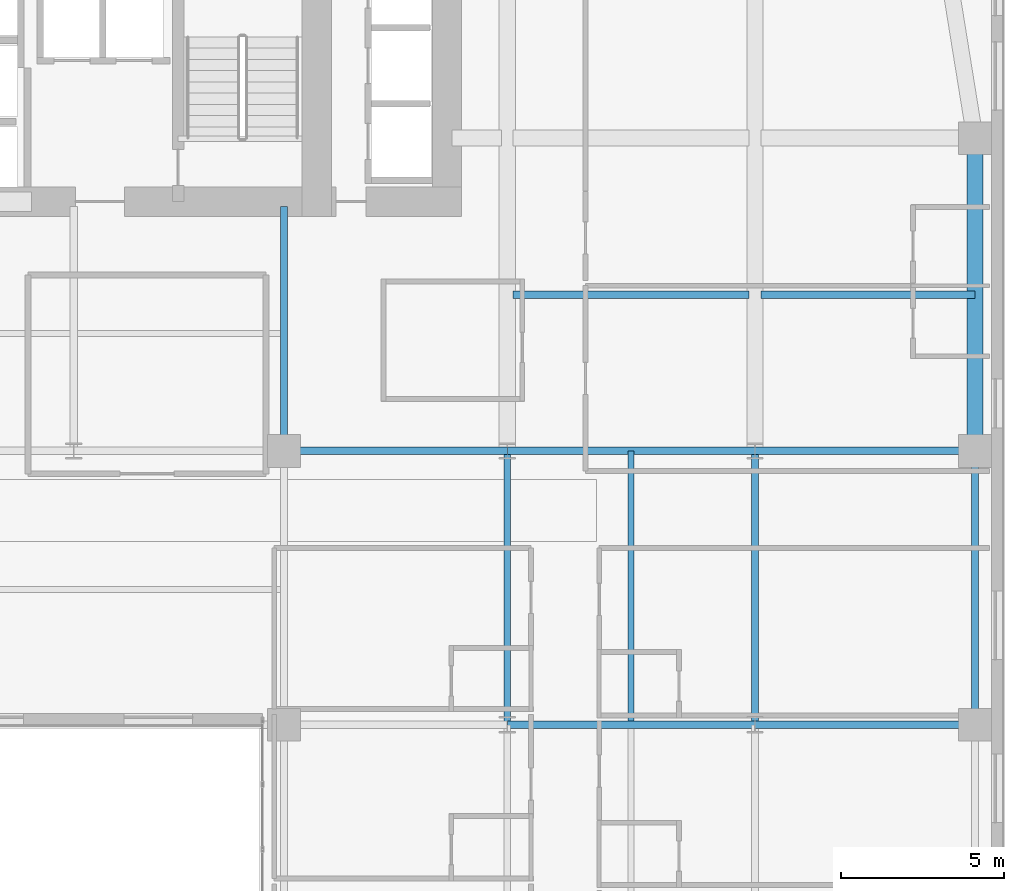
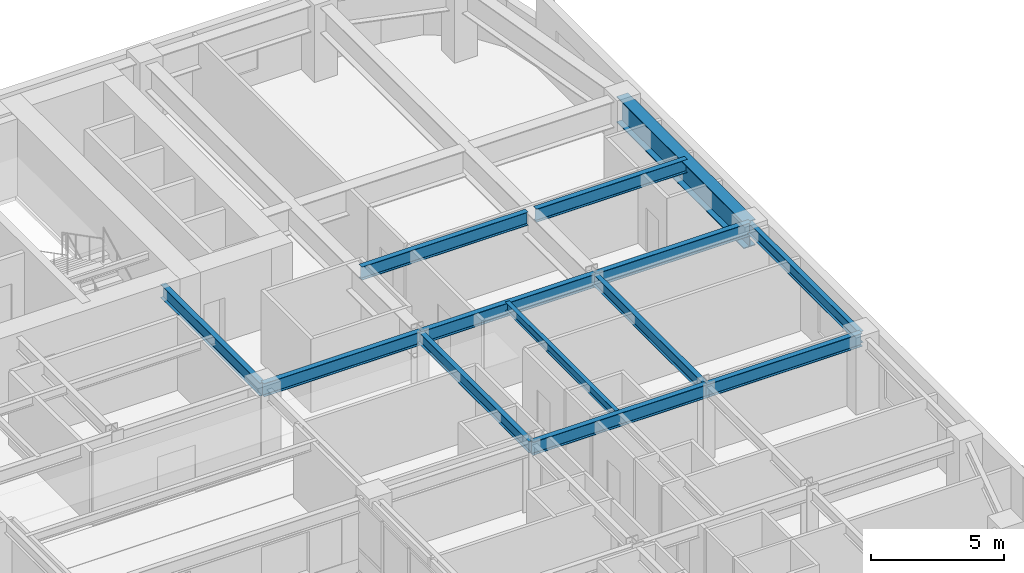
# One storey, part 19 of 37: 13 beams.
"""IFC4 building model written with IfcOpenShell, lengths in metres."""

from ifc_helpers import new_model, si_unit, direction, frame, origin, origin_2d, place, context, subcontext, project, spatial, i_section, extrude, source, transform, mapped, material, material_profile, profile_set, type_object, type_shapes, element, save


model = new_model("IFC4")

# Units and contexts
model_context = context("Model", 3, precision=1e-05, world=origin(), true_north=direction((0.0, 1.0)))
body_context = subcontext(model_context, "Body", "Model", "MODEL_VIEW")
ifc_project = project(units=[si_unit("LENGTHUNIT", "METRE"), si_unit("AREAUNIT", "SQUARE_METRE"), si_unit("VOLUMEUNIT", "CUBIC_METRE"), si_unit("PLANEANGLEUNIT", "RADIAN"), si_unit("MASSUNIT", "GRAM", prefix="KILO")], contexts=[model_context])

# Site, building, storey
site_placement = place(None, origin())
site = spatial("IfcSite", under=ifc_project, at=site_placement, CompositionType="ELEMENT")
building_placement = place(site_placement, origin())
building = spatial("IfcBuilding", under=site, at=building_placement, Name="Tolvann Quenvar Hotel", CompositionType="ELEMENT")
storey_placement = place(building_placement, frame((0.0, 0.0, 53.300048828125)))
storey = spatial("IfcBuildingStorey", under=building, at=storey_placement, Name="L12", CompositionType="ELEMENT", Elevation=53.300048828125)

# Beams
ifc_material = material(Name="Steel Grade 350", Category="steel")
ifc_material_profile_1 = material_profile(ifc_material, i_section(OverallWidth=0.5, OverallDepth=1.199951171875, WebThickness=0.01611328125, FlangeThickness=0.0400390625, at=origin_2d()), Name="1200WB455")
ifc_profile_set_1 = profile_set([ifc_material_profile_1], Name="Steel Grade 350")
beam_type_1 = type_object("IfcBeamType", Name="BM_TG_1200WB455", PredefinedType="USERDEFINED", material=ifc_profile_set_1)
shared_shape_1 = source(origin(), body_context, "Body", "SweptSolid", [
    extrude(i_section(OverallWidth=0.5, OverallDepth=1.199951171875, WebThickness=0.01611328125, FlangeThickness=0.0400390625, at=origin_2d()), origin(), (0.0, 0.0, 1.0), 9.60009765625),
])
type_shapes(beam_type_1, [shared_shape_1])
beam_1_placement = place(storey_placement, frame((56.14990234375, 24.39990234375, 2.77001953125), z_axis=(0.0, 1.0, 0.0), x_axis=(-1.0, 0.0, 0.0)))
element("IfcBeam", 1, at=beam_1_placement, inside=storey, type_object=beam_type_1, Name="BM-L12-FLK-E1", ObjectType="TRANSFER GIRDER", PredefinedType="USERDEFINED", context=body_context, shape_type="MappedRepresentation", body=[
    mapped(shared_shape_1, transform((0.0, 0.0, 0.0), x_axis=(1.0, 0.0, 0.0), y_axis=(0.0, 1.0, 0.0), z_axis=(0.0, 0.0, 1.0), scale=1.0)),
])
ifc_material_profile_2 = material_profile(ifc_material, i_section(OverallWidth=0.22900390625, OverallDepth=0.612060546875, WebThickness=0.011962890625, FlangeThickness=0.01953125, FilletRadius=0.013916015625, at=origin_2d()), Name="610UB125")
ifc_profile_set_2 = profile_set([ifc_material_profile_2], Name="Steel Grade 350")
beam_type_2 = type_object("IfcBeamType", Name="BM_GIRD_610UB125", PredefinedType="BEAM", material=ifc_profile_set_2)
shared_shape_2 = source(origin(), body_context, "Body", "SweptSolid", [
    extrude(i_section(OverallWidth=0.22900390625, OverallDepth=0.612060546875, WebThickness=0.011962890625, FlangeThickness=0.01953125, FilletRadius=0.013916015625, at=origin_2d()), origin(), (0.0, 0.0, 1.0), 6.75),
])
for number, where, z_axis, x_axis, name in (
    (2, (49.39990234375, 16.0, 3.06396484375), (1.0, 0.0, 0.0), (0.0, 1.0, 0.0), "BM-L12-EW-4-I4-J4"),
    (3, (49.39990234375, 24.39990234375, 3.06396484375), (1.0, 0.0, 0.0), (0.0, 1.0, 0.0), "BM-L12-EW-5-I5-J5"),
):
    element("IfcBeam", number, at=place(storey_placement, frame(where, z_axis=z_axis, x_axis=x_axis)), inside=storey, type_object=beam_type_2, Name=name, PredefinedType="BEAM", context=body_context, shape_type="MappedRepresentation", body=[
        mapped(shared_shape_2, transform((0.0, 0.0, 0.0), x_axis=(1.0, 0.0, 0.0), y_axis=(0.0, 1.0, 0.0), z_axis=(0.0, 0.0, 1.0), scale=1.0)),
    ])
shared_shape_3 = source(origin(), body_context, "Body", "SweptSolid", [
    extrude(i_section(OverallWidth=0.22900390625, OverallDepth=0.612060546875, WebThickness=0.011962890625, FlangeThickness=0.01953125, FilletRadius=0.013916015625, at=origin_2d()), origin(), (0.0, 0.0, 1.0), 7.599853515625),
])
for number, where, z_axis, x_axis, name in (
    (4, (41.800048828125, 16.0, 3.06396484375), (1.0, 0.0, 0.0), (0.0, 1.0, 0.0), "BM-L12-EW-4-H4-I4"),
    (5, (41.800048828125, 24.39990234375, 3.06396484375), (1.0, 0.0, 0.0), (0.0, 1.0, 0.0), "BM-L12-EW-5-H5-I5"),
):
    element("IfcBeam", number, at=place(storey_placement, frame(where, z_axis=z_axis, x_axis=x_axis)), inside=storey, type_object=beam_type_2, Name=name, PredefinedType="BEAM", context=body_context, shape_type="MappedRepresentation", body=[
        mapped(shared_shape_3, transform((0.0, 0.0, 0.0), x_axis=(1.0, 0.0, 0.0), y_axis=(0.0, 1.0, 0.0), z_axis=(0.0, 0.0, 1.0), scale=1.0)),
    ])
shared_shape_4 = source(origin(), body_context, "Body", "SweptSolid", [
    extrude(i_section(OverallWidth=0.22900390625, OverallDepth=0.612060546875, WebThickness=0.011962890625, FlangeThickness=0.01953125, FilletRadius=0.013916015625, at=origin_2d()), origin(), (0.0, 0.0, 1.0), 6.85009765625),
])
beam_2_placement = place(storey_placement, frame((34.949951171875, 24.39990234375, 3.06396484375), z_axis=(1.0, 0.0, 0.0), x_axis=(0.0, 1.0, 0.0)))
element("IfcBeam", 6, at=beam_2_placement, inside=storey, type_object=beam_type_2, Name="BM-L12-EW-5-F5-H5", PredefinedType="BEAM", context=body_context, shape_type="MappedRepresentation", body=[
    mapped(shared_shape_4, transform((0.0, 0.0, 0.0), x_axis=(1.0, 0.0, 0.0), y_axis=(0.0, 1.0, 0.0), z_axis=(0.0, 0.0, 1.0), scale=1.0)),
])
ifc_material_profile_3 = material_profile(ifc_material, i_section(OverallWidth=0.208984375, OverallDepth=0.528076171875, WebThickness=0.009521484375, FlangeThickness=0.01318359375, FilletRadius=0.013916015625, at=origin_2d()), Name="530UB82")
ifc_profile_set_3 = profile_set([ifc_material_profile_3], Name="Steel Grade 350")
beam_type_3 = type_object("IfcBeamType", Name="BM_SPAND_530UB82", PredefinedType="SPANDREL", material=ifc_profile_set_3)
shared_shape_5 = source(origin(), body_context, "Body", "SweptSolid", [
    extrude(i_section(OverallWidth=0.208984375, OverallDepth=0.528076171875, WebThickness=0.009521484375, FlangeThickness=0.01318359375, FilletRadius=0.013916015625, at=origin_2d()), origin(), (0.0, 0.0, 1.0), 8.39990234375),
])
type_shapes(beam_type_3, [shared_shape_5])
beam_3_placement = place(storey_placement, frame((56.14990234375, 16.0, 3.10595703125), z_axis=(0.0, 1.0, 0.0), x_axis=(-1.0, 0.0, 0.0)))
element("IfcBeam", 7, at=beam_3_placement, inside=storey, type_object=beam_type_3, Name="BM-L12-NS-J4-J5", PredefinedType="SPANDREL", context=body_context, shape_type="MappedRepresentation", body=[
    mapped(shared_shape_5, transform((0.0, 0.0, 0.0), x_axis=(1.0, 0.0, 0.0), y_axis=(0.0, 1.0, 0.0), z_axis=(0.0, 0.0, 1.0), scale=1.0)),
])
ifc_material_profile_4 = material_profile(ifc_material, i_section(OverallWidth=0.208984375, OverallDepth=0.532958984375, WebThickness=0.01025390625, FlangeThickness=0.015625, FilletRadius=0.013916015625, at=origin_2d()), Name="530UB92")
ifc_profile_set_4 = profile_set([ifc_material_profile_4], Name="Steel Grade 350")
beam_type_4 = type_object("IfcBeamType", Name="BM_GIRD_530UB92", PredefinedType="BEAM", material=ifc_profile_set_4)
shared_shape_6 = source(origin(), body_context, "Body", "SweptSolid", [
    extrude(i_section(OverallWidth=0.208984375, OverallDepth=0.532958984375, WebThickness=0.01025390625, FlangeThickness=0.015625, FilletRadius=0.013916015625, at=origin_2d()), origin(), (0.0, 0.0, 1.0), 8.39990234375),
])
type_shapes(beam_type_4, [shared_shape_6])
for number, where, z_axis, x_axis, name in (
    (8, (41.800048828125, 16.0, 3.103515625), (0.0, 1.0, 0.0), (-1.0, 0.0, 0.0), "BM-L12-NS-H4-H5"),
    (9, (49.39990234375, 16.0, 3.103515625), (0.0, 1.0, 0.0), (-1.0, 0.0, 0.0), "BM-L12-NS-I4-I5"),
):
    element("IfcBeam", number, at=place(storey_placement, frame(where, z_axis=z_axis, x_axis=x_axis)), inside=storey, type_object=beam_type_4, Name=name, PredefinedType="BEAM", context=body_context, shape_type="MappedRepresentation", body=[
        mapped(shared_shape_6, transform((0.0, 0.0, 0.0), x_axis=(1.0, 0.0, 0.0), y_axis=(0.0, 1.0, 0.0), z_axis=(0.0, 0.0, 1.0), scale=1.0)),
    ])
shared_shape_7 = source(origin(), body_context, "Body", "SweptSolid", [
    extrude(i_section(OverallWidth=0.22900390625, OverallDepth=0.612060546875, WebThickness=0.011962890625, FlangeThickness=0.01953125, FilletRadius=0.013916015625, at=origin_2d()), origin(), (0.0, 0.0, 1.0), 7.5),
])
beam_4_placement = place(storey_placement, frame((34.949951171875, 24.39990234375, 3.06396484375), z_axis=(0.0, 1.0, 0.0), x_axis=(-1.0, 0.0, 0.0)))
element("IfcBeam", 10, at=beam_4_placement, inside=storey, type_object=beam_type_2, Name="BM-L12-CORE-F5", PredefinedType="BEAM", context=body_context, shape_type="MappedRepresentation", body=[
    mapped(shared_shape_7, transform((0.0, 0.0, 0.0), x_axis=(1.0, 0.0, 0.0), y_axis=(0.0, 1.0, 0.0), z_axis=(0.0, 0.0, 1.0), scale=1.0)),
])
shared_shape_8 = source(origin(), body_context, "Body", "SweptSolid", [
    extrude(i_section(OverallWidth=0.22900390625, OverallDepth=0.612060546875, WebThickness=0.011962890625, FlangeThickness=0.01953125, FilletRadius=0.013916015625, at=origin_2d()), origin(), (0.0, 0.0, 1.0), 7.239990234375),
])
beam_5_placement = place(storey_placement, frame((41.97998046875, 29.199951171875, 3.06396484375), z_axis=(1.0, 0.0, 0.0), x_axis=(0.0, 1.0, 0.0)))
element("IfcBeam", 11, at=beam_5_placement, inside=storey, type_object=beam_type_2, Name="BM-L12-EW-HI29", PredefinedType="BEAM", context=body_context, shape_type="MappedRepresentation", body=[
    mapped(shared_shape_8, transform((0.0, 0.0, 0.0), x_axis=(1.0, 0.0, 0.0), y_axis=(0.0, 1.0, 0.0), z_axis=(0.0, 0.0, 1.0), scale=1.0)),
])
shared_shape_9 = source(origin(), body_context, "Body", "SweptSolid", [
    extrude(i_section(OverallWidth=0.22900390625, OverallDepth=0.612060546875, WebThickness=0.011962890625, FlangeThickness=0.01953125, FilletRadius=0.013916015625, at=origin_2d()), origin(), (0.0, 0.0, 1.0), 6.56982421875),
])
type_shapes(beam_type_2, [shared_shape_2, shared_shape_3, shared_shape_4, shared_shape_7, shared_shape_8, shared_shape_9])
beam_6_placement = place(storey_placement, frame((49.580078125, 29.199951171875, 3.06396484375), z_axis=(1.0, 0.0, 0.0), x_axis=(0.0, 1.0, 0.0)))
element("IfcBeam", 12, at=beam_6_placement, inside=storey, type_object=beam_type_2, Name="BM-L12-EW-IJ29", PredefinedType="BEAM", context=body_context, shape_type="MappedRepresentation", body=[
    mapped(shared_shape_9, transform((0.0, 0.0, 0.0), x_axis=(1.0, 0.0, 0.0), y_axis=(0.0, 1.0, 0.0), z_axis=(0.0, 0.0, 1.0), scale=1.0)),
])
ifc_material_profile_5 = material_profile(ifc_material, i_section(OverallWidth=0.177978515625, OverallDepth=0.406005859375, WebThickness=0.0078125, FlangeThickness=0.0126953125, FilletRadius=0.011474609375, at=origin_2d()), Name="410UB60")
ifc_profile_set_5 = profile_set([ifc_material_profile_5], Name="Steel Grade 350")
beam_type_5 = type_object("IfcBeamType", Name="BM_JOIST_410UB60", PredefinedType="JOIST", material=ifc_profile_set_5)
shared_shape_10 = source(origin(), body_context, "Body", "SweptSolid", [
    extrude(i_section(OverallWidth=0.177978515625, OverallDepth=0.406005859375, WebThickness=0.0078125, FlangeThickness=0.0126953125, FilletRadius=0.011474609375, at=origin_2d()), origin(), (0.0, 0.0, 1.0), 8.29150390625),
])
type_shapes(beam_type_5, [shared_shape_10])
beam_7_placement = place(storey_placement, frame((45.60009765625, 16.1083984375, 3.1669921875), z_axis=(0.0, 1.0, 0.0), x_axis=(-1.0, 0.0, 0.0)))
element("IfcBeam", 13, at=beam_7_placement, inside=storey, type_object=beam_type_5, Name="BJ-L12-456-160", PredefinedType="JOIST", context=body_context, shape_type="MappedRepresentation", body=[
    mapped(shared_shape_10, transform((0.0, 0.0, 0.0), x_axis=(1.0, 0.0, 0.0), y_axis=(0.0, 1.0, 0.0), z_axis=(0.0, 0.0, 1.0), scale=1.0)),
])

save(model, "model.ifc")
